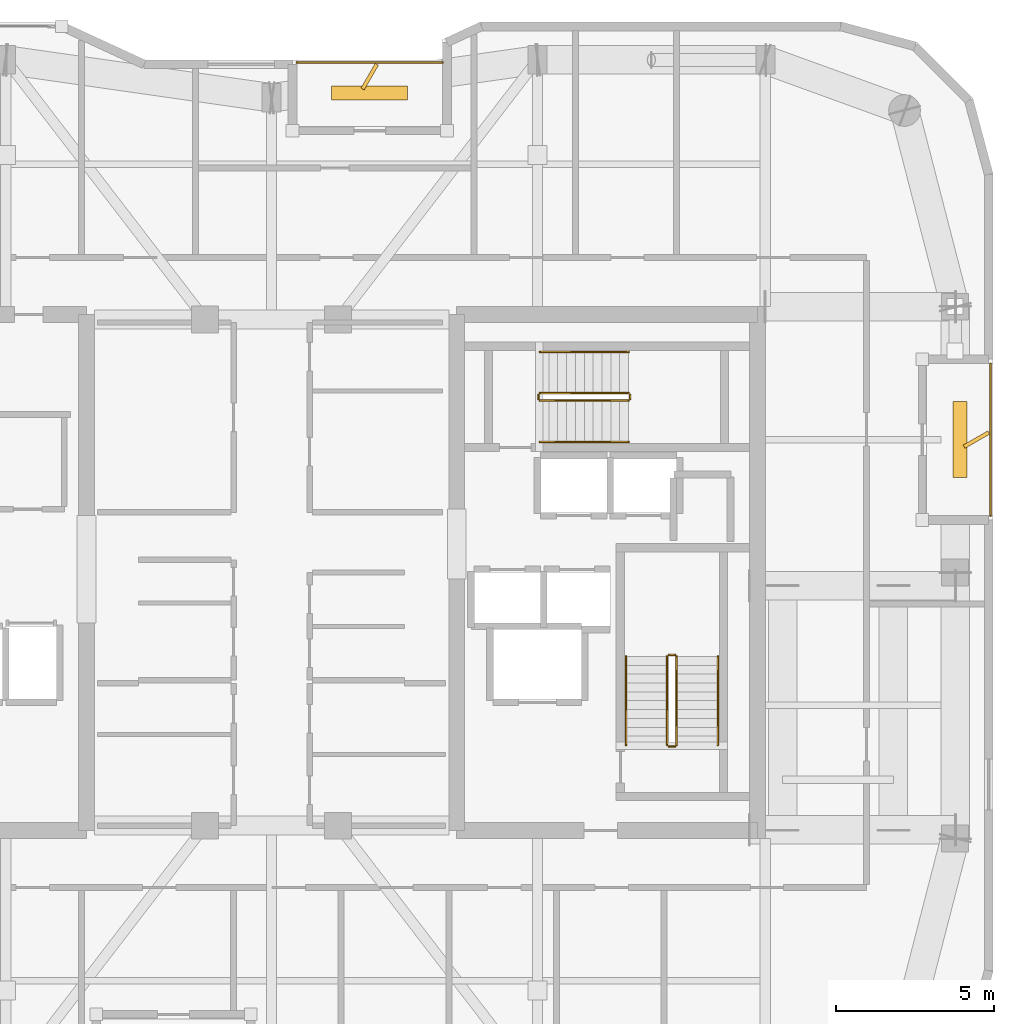
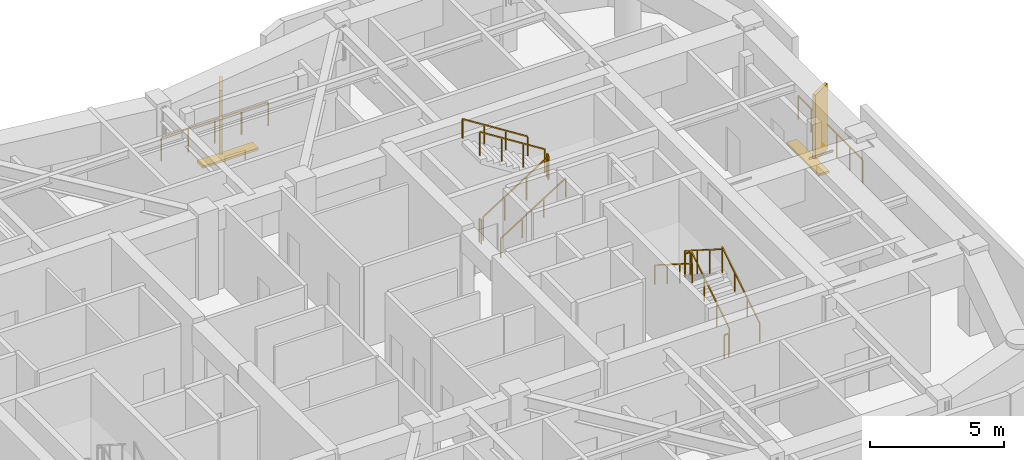
# One storey, part 16 of 16: 14 railings, 4 shading devices.
"""IFC4 building model written with IfcOpenShell, lengths in metres."""

from ifc_helpers import new_model, si_unit, direction, frame, origin, origin_2d, place, context, subcontext, project, spatial, rectangle, extrude, material, type_object, element, save


model = new_model("IFC4")

# Units and contexts
model_context = context("Model", 3, precision=1e-05, world=origin(), true_north=direction((0.0, 1.0)))
body_context = subcontext(model_context, "Body", "Model", "MODEL_VIEW")
ifc_project = project(units=[si_unit("LENGTHUNIT", "METRE"), si_unit("AREAUNIT", "SQUARE_METRE"), si_unit("VOLUMEUNIT", "CUBIC_METRE"), si_unit("PLANEANGLEUNIT", "RADIAN"), si_unit("MASSUNIT", "GRAM", prefix="KILO")], contexts=[model_context])

# Site, building, storey
site_placement = place(None, origin())
site = spatial("IfcSite", under=ifc_project, at=site_placement, CompositionType="ELEMENT")
building_placement = place(site_placement, origin())
building = spatial("IfcBuilding", under=site, at=building_placement, Name="Kiyonajd Concourse Tower", CompositionType="ELEMENT")
storey_placement = place(building_placement, frame((0.0, 0.0, 346.5)))
storey = spatial("IfcBuildingStorey", under=building, at=storey_placement, Name="L87", CompositionType="ELEMENT", Elevation=346.5)

# Railings
ifc_material_1 = material(Name="Thermally Broken Anodised Aluminium", Category="aluminium")
railing_type_1 = type_object("IfcRailingType", Name="RL-GRD-LOG", PredefinedType="GUARDRAIL", material=ifc_material_1)
railing_1_placement = place(storey_placement, frame((53.39990234375, 52.1201171875, 0.0)))
element("IfcRailing", 1, at=railing_1_placement, inside=storey, type_object=railing_type_1, Name="L87 Engawa Loggia Perimeter Guard LOG-N", PredefinedType="GUARDRAIL", context=body_context, shape_type="SweptSolid", body=[
    extrude(rectangle(XDim=0.048095703125, YDim=0.048095703125, at=origin_2d()), frame((0.0, 0.0, 1.076171875), z_axis=(-1.0, 0.0, 0.0), x_axis=(0.0, -1.0, 0.0)), (0.0, 0.0, 1.0), 4.599853515625),
    extrude(rectangle(XDim=0.0419921875, YDim=0.0419921875, at=origin_2d()), origin(), (0.0, 0.0, 1.0), 1.052001953125),
    extrude(rectangle(XDim=0.0419921875, YDim=0.0419921875, at=origin_2d()), frame((-1.14990234375, 0.0, 0.0)), (0.0, 0.0, 1.0), 1.052001953125),
    extrude(rectangle(XDim=0.0419921875, YDim=0.0419921875, at=origin_2d()), frame((-2.2998046875, 0.0, 0.0)), (0.0, 0.0, 1.0), 1.052001953125),
    extrude(rectangle(XDim=0.0419921875, YDim=0.0419921875, at=origin_2d()), frame((-3.449951171875, 0.0, 0.0)), (0.0, 0.0, 1.0), 1.052001953125),
    extrude(rectangle(XDim=0.0419921875, YDim=0.0419921875, at=origin_2d()), frame((-4.599853515625, 0.0, 0.0)), (0.0, 0.0, 1.0), 1.052001953125),
])
railing_2_placement = place(storey_placement, frame((70.719970703125, 37.800048828125, 0.0)))
element("IfcRailing", 2, at=railing_2_placement, inside=storey, type_object=railing_type_1, Name="L87 Engawa Loggia Perimeter Guard LOG-E", PredefinedType="GUARDRAIL", context=body_context, shape_type="SweptSolid", body=[
    extrude(rectangle(XDim=0.048095703125, YDim=0.048095703125, at=origin_2d()), frame((0.0, 0.0, 1.076171875), z_axis=(0.0, 1.0, 0.0), x_axis=(-1.0, 0.0, 0.0)), (0.0, 0.0, 1.0), 4.800048828125),
    extrude(rectangle(XDim=0.0419921875, YDim=0.0419921875, at=origin_2d()), origin(), (0.0, 0.0, 1.0), 1.052001953125),
    extrude(rectangle(XDim=0.0419921875, YDim=0.0419921875, at=origin_2d()), frame((0.0, 0.9599609375, 0.0)), (0.0, 0.0, 1.0), 1.052001953125),
    extrude(rectangle(XDim=0.0419921875, YDim=0.0419921875, at=origin_2d()), frame((0.0, 1.919921875, 0.0)), (0.0, 0.0, 1.0), 1.052001953125),
    extrude(rectangle(XDim=0.0419921875, YDim=0.0419921875, at=origin_2d()), frame((0.0, 2.880126953125, 0.0)), (0.0, 0.0, 1.0), 1.052001953125),
    extrude(rectangle(XDim=0.0419921875, YDim=0.0419921875, at=origin_2d()), frame((0.0, 3.840087890625, 0.0)), (0.0, 0.0, 1.0), 1.052001953125),
    extrude(rectangle(XDim=0.0419921875, YDim=0.0419921875, at=origin_2d()), frame((0.0, 4.800048828125, 0.0)), (0.0, 0.0, 1.0), 1.052001953125),
])
ifc_material_2 = material(Name="Steel ASTM A500 Grade C", Category="steel")
railing_type_2 = type_object("IfcRailingType", Name="RL-GRD-STR", PredefinedType="GUARDRAIL", material=ifc_material_2)
railing_3_placement = place(storey_placement, frame((60.800048828125, 30.550048828125, 0.17724609375)))
element("IfcRailing", 3, at=railing_3_placement, inside=storey, type_object=railing_type_2, Name="L87 ST2 stair guard 1", PredefinedType="GUARDRAIL", context=body_context, shape_type="SweptSolid", body=[
    extrude(rectangle(XDim=0.048095703125, YDim=0.048095703125, at=origin_2d()), frame((0.0, 0.0, 1.076171875), z_axis=(0.0, 0.844908973607, 0.534910110503), x_axis=(-1.0, 0.0, 0.0)), (0.0, 0.0, 1.0), 3.31396484375),
    extrude(rectangle(XDim=0.0419921875, YDim=0.0419921875, at=origin_2d()), origin(), (0.0, 0.0, 1.0), 1.052001953125),
    extrude(rectangle(XDim=0.0419921875, YDim=0.0419921875, at=origin_2d()), frame((0.0, 0.933349609375, 0.5908203125)), (0.0, 0.0, 1.0), 1.052001953125),
    extrude(rectangle(XDim=0.0419921875, YDim=0.0419921875, at=origin_2d()), frame((0.0, 1.86669921875, 1.181884765625)), (0.0, 0.0, 1.0), 1.052001953125),
    extrude(rectangle(XDim=0.0419921875, YDim=0.0419921875, at=origin_2d()), frame((0.0, 2.800048828125, 1.772705078125)), (0.0, 0.0, 1.0), 1.052001953125),
])
railing_4_placement = place(storey_placement, frame((60.75, 33.39990234375, 1.949951171875)))
element("IfcRailing", 4, at=railing_4_placement, inside=storey, type_object=railing_type_2, Name="L87 ST2 stair guard 2", PredefinedType="GUARDRAIL", context=body_context, shape_type="SweptSolid", body=[
    extrude(rectangle(XDim=0.048095703125, YDim=0.048095703125, at=origin_2d()), frame((0.0, 0.0, 1.076171875), z_axis=(-1.0, 0.0, 0.0), x_axis=(0.0, -1.0, 0.0)), (0.0, 0.0, 1.0), 0.199951171875),
    extrude(rectangle(XDim=0.0419921875, YDim=0.0419921875, at=origin_2d()), origin(), (0.0, 0.0, 1.0), 1.052001953125),
    extrude(rectangle(XDim=0.0419921875, YDim=0.0419921875, at=origin_2d()), frame((-0.199951171875, 0.0, 0.0)), (0.0, 0.0, 1.0), 1.052001953125),
])
railing_5_placement = place(storey_placement, frame((60.5, 33.35009765625, 2.127197265625)))
element("IfcRailing", 5, at=railing_5_placement, inside=storey, type_object=railing_type_2, Name="L87 ST2 stair guard 3", PredefinedType="GUARDRAIL", context=body_context, shape_type="SweptSolid", body=[
    extrude(rectangle(XDim=0.048095703125, YDim=0.048095703125, at=origin_2d()), frame((0.0, 0.0, 1.076171875), z_axis=(0.0, -0.844908973607, 0.534910110503), x_axis=(1.0, 0.0, 0.0)), (0.0, 0.0, 1.0), 3.31396484375),
    extrude(rectangle(XDim=0.0419921875, YDim=0.0419921875, at=origin_2d()), origin(), (0.0, 0.0, 1.0), 1.052001953125),
    extrude(rectangle(XDim=0.0419921875, YDim=0.0419921875, at=origin_2d()), frame((0.0, -0.933349609375, 0.5908203125)), (0.0, 0.0, 1.0), 1.052001953125),
    extrude(rectangle(XDim=0.0419921875, YDim=0.0419921875, at=origin_2d()), frame((0.0, -1.86669921875, 1.181884765625)), (0.0, 0.0, 1.0), 1.052001953125),
    extrude(rectangle(XDim=0.0419921875, YDim=0.0419921875, at=origin_2d()), frame((0.0, -2.800048828125, 1.772705078125)), (0.0, 0.0, 1.0), 1.052001953125),
])
railing_6_placement = place(storey_placement, frame((60.75, 30.5, 0.0)))
element("IfcRailing", 6, at=railing_6_placement, inside=storey, type_object=railing_type_2, Name="L87 ST2 stair guard 4", PredefinedType="GUARDRAIL", context=body_context, shape_type="SweptSolid", body=[
    extrude(rectangle(XDim=0.048095703125, YDim=0.048095703125, at=origin_2d()), frame((0.0, 0.0, 1.076171875), z_axis=(-1.0, 0.0, 0.0), x_axis=(0.0, -1.0, 0.0)), (0.0, 0.0, 1.0), 0.199951171875),
    extrude(rectangle(XDim=0.0419921875, YDim=0.0419921875, at=origin_2d()), origin(), (0.0, 0.0, 1.0), 1.052001953125),
    extrude(rectangle(XDim=0.0419921875, YDim=0.0419921875, at=origin_2d()), frame((-0.199951171875, 0.0, 0.0)), (0.0, 0.0, 1.0), 1.052001953125),
])
railing_7_placement = place(storey_placement, frame((56.47998046875, 41.429931640625, 0.17724609375)))
element("IfcRailing", 7, at=railing_7_placement, inside=storey, type_object=railing_type_2, Name="L87 ST3 stair guard 1", PredefinedType="GUARDRAIL", context=body_context, shape_type="SweptSolid", body=[
    extrude(rectangle(XDim=0.048095703125, YDim=0.048095703125, at=origin_2d()), frame((0.0, 0.0, 1.076171875), z_axis=(0.844908973607, 0.0, 0.534910110503), x_axis=(0.0, 1.0, 0.0)), (0.0, 0.0, 1.0), 3.31396484375),
    extrude(rectangle(XDim=0.0419921875, YDim=0.0419921875, at=origin_2d()), origin(), (0.0, 0.0, 1.0), 1.052001953125),
    extrude(rectangle(XDim=0.0419921875, YDim=0.0419921875, at=origin_2d()), frame((0.933349609375, 0.0, 0.5908203125)), (0.0, 0.0, 1.0), 1.052001953125),
    extrude(rectangle(XDim=0.0419921875, YDim=0.0419921875, at=origin_2d()), frame((1.86669921875, 0.0, 1.181884765625)), (0.0, 0.0, 1.0), 1.052001953125),
    extrude(rectangle(XDim=0.0419921875, YDim=0.0419921875, at=origin_2d()), frame((2.800048828125, 0.0, 1.772705078125)), (0.0, 0.0, 1.0), 1.052001953125),
])
railing_8_placement = place(storey_placement, frame((59.330078125, 41.47998046875, 1.949951171875)))
element("IfcRailing", 8, at=railing_8_placement, inside=storey, type_object=railing_type_2, Name="L87 ST3 stair guard 2", PredefinedType="GUARDRAIL", context=body_context, shape_type="SweptSolid", body=[
    extrude(rectangle(XDim=0.048095703125, YDim=0.048095703125, at=origin_2d()), frame((0.0, 0.0, 1.076171875), z_axis=(0.0, 1.0, 0.0), x_axis=(-1.0, 0.0, 0.0)), (0.0, 0.0, 1.0), 0.14013671875),
    extrude(rectangle(XDim=0.0419921875, YDim=0.0419921875, at=origin_2d()), origin(), (0.0, 0.0, 1.0), 1.052001953125),
    extrude(rectangle(XDim=0.0419921875, YDim=0.0419921875, at=origin_2d()), frame((0.0, 0.14013671875, 0.0)), (0.0, 0.0, 1.0), 1.052001953125),
])
railing_9_placement = place(storey_placement, frame((59.280029296875, 41.669921875, 2.127197265625)))
element("IfcRailing", 9, at=railing_9_placement, inside=storey, type_object=railing_type_2, Name="L87 ST3 stair guard 3", PredefinedType="GUARDRAIL", context=body_context, shape_type="SweptSolid", body=[
    extrude(rectangle(XDim=0.048095703125, YDim=0.048095703125, at=origin_2d()), frame((0.0, 0.0, 1.076171875), z_axis=(-0.844908973607, 0.0, 0.534910110503), x_axis=(0.0, -1.0, 0.0)), (0.0, 0.0, 1.0), 3.31396484375),
    extrude(rectangle(XDim=0.0419921875, YDim=0.0419921875, at=origin_2d()), origin(), (0.0, 0.0, 1.0), 1.052001953125),
    extrude(rectangle(XDim=0.0419921875, YDim=0.0419921875, at=origin_2d()), frame((-0.933349609375, 0.0, 0.5908203125)), (0.0, 0.0, 1.0), 1.052001953125),
    extrude(rectangle(XDim=0.0419921875, YDim=0.0419921875, at=origin_2d()), frame((-1.86669921875, 0.0, 1.181884765625)), (0.0, 0.0, 1.0), 1.052001953125),
    extrude(rectangle(XDim=0.0419921875, YDim=0.0419921875, at=origin_2d()), frame((-2.800048828125, 0.0, 1.772705078125)), (0.0, 0.0, 1.0), 1.052001953125),
])
railing_10_placement = place(storey_placement, frame((56.429931640625, 41.47998046875, 0.0)))
element("IfcRailing", 10, at=railing_10_placement, inside=storey, type_object=railing_type_2, Name="L87 ST3 stair guard 4", PredefinedType="GUARDRAIL", context=body_context, shape_type="SweptSolid", body=[
    extrude(rectangle(XDim=0.048095703125, YDim=0.048095703125, at=origin_2d()), frame((0.0, 0.0, 1.076171875), z_axis=(0.0, 1.0, 0.0), x_axis=(-1.0, 0.0, 0.0)), (0.0, 0.0, 1.0), 0.14013671875),
    extrude(rectangle(XDim=0.0419921875, YDim=0.0419921875, at=origin_2d()), origin(), (0.0, 0.0, 1.0), 1.052001953125),
    extrude(rectangle(XDim=0.0419921875, YDim=0.0419921875, at=origin_2d()), frame((0.0, 0.14013671875, 0.0)), (0.0, 0.0, 1.0), 1.052001953125),
])
ifc_material_3 = material(Name="Brushed Stainless Steel Cab Assembly", Category="steel")
railing_type_3 = type_object("IfcRailingType", Name="RL-HND-900", PredefinedType="HANDRAIL", material=ifc_material_3)
railing_11_placement = place(storey_placement, frame((62.10009765625, 30.550048828125, 0.17724609375)))
element("IfcRailing", 11, at=railing_11_placement, inside=storey, type_object=railing_type_3, Name="L87 ST2 stair handrail 1", PredefinedType="HANDRAIL", context=body_context, shape_type="SweptSolid", body=[
    extrude(rectangle(XDim=0.048095703125, YDim=0.048095703125, at=origin_2d()), frame((0.0, 0.0, 0.8759765625), z_axis=(0.0, 0.844908973607, 0.534910110503), x_axis=(-1.0, 0.0, 0.0)), (0.0, 0.0, 1.0), 3.31396484375),
    extrude(rectangle(XDim=0.0419921875, YDim=0.0419921875, at=origin_2d()), origin(), (0.0, 0.0, 1.0), 0.851806640625),
    extrude(rectangle(XDim=0.0419921875, YDim=0.0419921875, at=origin_2d()), frame((0.0, 0.933349609375, 0.5908203125)), (0.0, 0.0, 1.0), 0.851806640625),
    extrude(rectangle(XDim=0.0419921875, YDim=0.0419921875, at=origin_2d()), frame((0.0, 1.86669921875, 1.181884765625)), (0.0, 0.0, 1.0), 0.851806640625),
    extrude(rectangle(XDim=0.0419921875, YDim=0.0419921875, at=origin_2d()), frame((0.0, 2.800048828125, 1.772705078125)), (0.0, 0.0, 1.0), 0.851806640625),
])
railing_12_placement = place(storey_placement, frame((59.199951171875, 33.35009765625, 2.127197265625)))
element("IfcRailing", 12, at=railing_12_placement, inside=storey, type_object=railing_type_3, Name="L87 ST2 stair handrail 2", PredefinedType="HANDRAIL", context=body_context, shape_type="SweptSolid", body=[
    extrude(rectangle(XDim=0.048095703125, YDim=0.048095703125, at=origin_2d()), frame((0.0, 0.0, 0.8759765625), z_axis=(0.0, -0.844908973607, 0.534910110503), x_axis=(1.0, 0.0, 0.0)), (0.0, 0.0, 1.0), 3.31396484375),
    extrude(rectangle(XDim=0.0419921875, YDim=0.0419921875, at=origin_2d()), origin(), (0.0, 0.0, 1.0), 0.851806640625),
    extrude(rectangle(XDim=0.0419921875, YDim=0.0419921875, at=origin_2d()), frame((0.0, -0.933349609375, 0.5908203125)), (0.0, 0.0, 1.0), 0.851806640625),
    extrude(rectangle(XDim=0.0419921875, YDim=0.0419921875, at=origin_2d()), frame((0.0, -1.86669921875, 1.181884765625)), (0.0, 0.0, 1.0), 0.851806640625),
    extrude(rectangle(XDim=0.0419921875, YDim=0.0419921875, at=origin_2d()), frame((0.0, -2.800048828125, 1.772705078125)), (0.0, 0.0, 1.0), 0.851806640625),
])
railing_13_placement = place(storey_placement, frame((56.47998046875, 40.1298828125, 0.17724609375)))
element("IfcRailing", 13, at=railing_13_placement, inside=storey, type_object=railing_type_3, Name="L87 ST3 stair handrail 1", PredefinedType="HANDRAIL", context=body_context, shape_type="SweptSolid", body=[
    extrude(rectangle(XDim=0.048095703125, YDim=0.048095703125, at=origin_2d()), frame((0.0, 0.0, 0.8759765625), z_axis=(0.844908973607, 0.0, 0.534910110503), x_axis=(0.0, 1.0, 0.0)), (0.0, 0.0, 1.0), 3.31396484375),
    extrude(rectangle(XDim=0.0419921875, YDim=0.0419921875, at=origin_2d()), origin(), (0.0, 0.0, 1.0), 0.851806640625),
    extrude(rectangle(XDim=0.0419921875, YDim=0.0419921875, at=origin_2d()), frame((0.933349609375, 0.0, 0.5908203125)), (0.0, 0.0, 1.0), 0.851806640625),
    extrude(rectangle(XDim=0.0419921875, YDim=0.0419921875, at=origin_2d()), frame((1.86669921875, 0.0, 1.181884765625)), (0.0, 0.0, 1.0), 0.851806640625),
    extrude(rectangle(XDim=0.0419921875, YDim=0.0419921875, at=origin_2d()), frame((2.800048828125, 0.0, 1.772705078125)), (0.0, 0.0, 1.0), 0.851806640625),
])
railing_14_placement = place(storey_placement, frame((59.280029296875, 42.969970703125, 2.127197265625)))
element("IfcRailing", 14, at=railing_14_placement, inside=storey, type_object=railing_type_3, Name="L87 ST3 stair handrail 2", PredefinedType="HANDRAIL", context=body_context, shape_type="SweptSolid", body=[
    extrude(rectangle(XDim=0.048095703125, YDim=0.048095703125, at=origin_2d()), frame((0.0, 0.0, 0.8759765625), z_axis=(-0.844908973607, 0.0, 0.534910110503), x_axis=(0.0, -1.0, 0.0)), (0.0, 0.0, 1.0), 3.31396484375),
    extrude(rectangle(XDim=0.0419921875, YDim=0.0419921875, at=origin_2d()), origin(), (0.0, 0.0, 1.0), 0.851806640625),
    extrude(rectangle(XDim=0.0419921875, YDim=0.0419921875, at=origin_2d()), frame((-0.933349609375, 0.0, 0.5908203125)), (0.0, 0.0, 1.0), 0.851806640625),
    extrude(rectangle(XDim=0.0419921875, YDim=0.0419921875, at=origin_2d()), frame((-1.86669921875, 0.0, 1.181884765625)), (0.0, 0.0, 1.0), 0.851806640625),
    extrude(rectangle(XDim=0.0419921875, YDim=0.0419921875, at=origin_2d()), frame((-2.800048828125, 0.0, 1.772705078125)), (0.0, 0.0, 1.0), 0.851806640625),
])

# Shading devices
ifc_material_4 = material(Name="Precast concrete C50/60", Category="concrete")
shading_device_type_1 = type_object("IfcShadingDeviceType", Name="SH-FIN-900", PredefinedType="USERDEFINED", material=ifc_material_4)
for number, where, z_axis, x_axis, name in (
    (15, (51.10009765625, 51.669921875, 0.0), (0.0, 0.0, 1.0), (0.5, 0.866025403784, 0.0), "L87 Angled Koshi Solar Fin LOG-N"),
    (16, (70.27001953125, 40.199951171875, 0.0), (0.0, 0.0, 1.0), (0.866025403784, 0.5, 0.0), "L87 Angled Koshi Solar Fin LOG-E"),
):
    element("IfcShadingDevice", number, at=place(storey_placement, frame(where, z_axis=z_axis, x_axis=x_axis)), inside=storey, type_object=shading_device_type_1, Name=name, ObjectType="FIN", PredefinedType="USERDEFINED", context=body_context, shape_type="SweptSolid", body=[
        extrude(rectangle(XDim=0.89990234375, YDim=0.1201171875, at=origin_2d()), origin(), (0.0, 0.0, 1.0), 3.0),
    ])
shading_device_type_2 = type_object("IfcShadingDeviceType", Name="SH-LVR-600", PredefinedType="JALOUSIE", material=ifc_material_1)
for number, where, z_axis, x_axis, name in (
    (17, (51.10009765625, 51.14990234375, 0.0), (0.0, 0.0, 1.0), (1.0, 0.0, 0.0), "L87 Loggia Threshold Louver LOG-N"),
    (18, (69.75, 40.199951171875, 0.0), (0.0, 0.0, 1.0), (0.0, 1.0, 0.0), "L87 Loggia Threshold Louver LOG-E"),
):
    element("IfcShadingDevice", number, at=place(storey_placement, frame(where, z_axis=z_axis, x_axis=x_axis)), inside=storey, type_object=shading_device_type_2, Name=name, PredefinedType="JALOUSIE", context=body_context, shape_type="SweptSolid", body=[
        extrude(rectangle(XDim=2.39990234375, YDim=0.449951171875, at=origin_2d()), origin(), (0.0, 0.0, 1.0), 0.10009765625),
    ])

save(model, "model.ifc")
